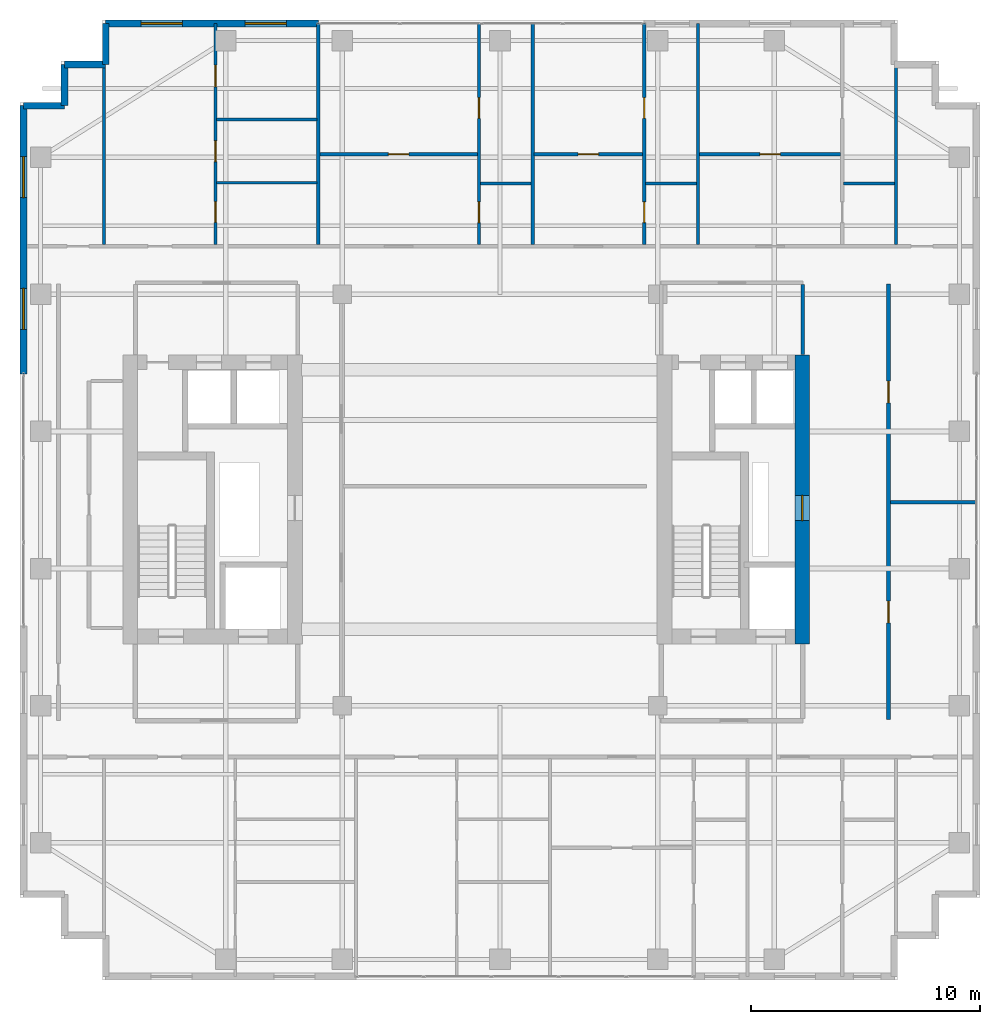
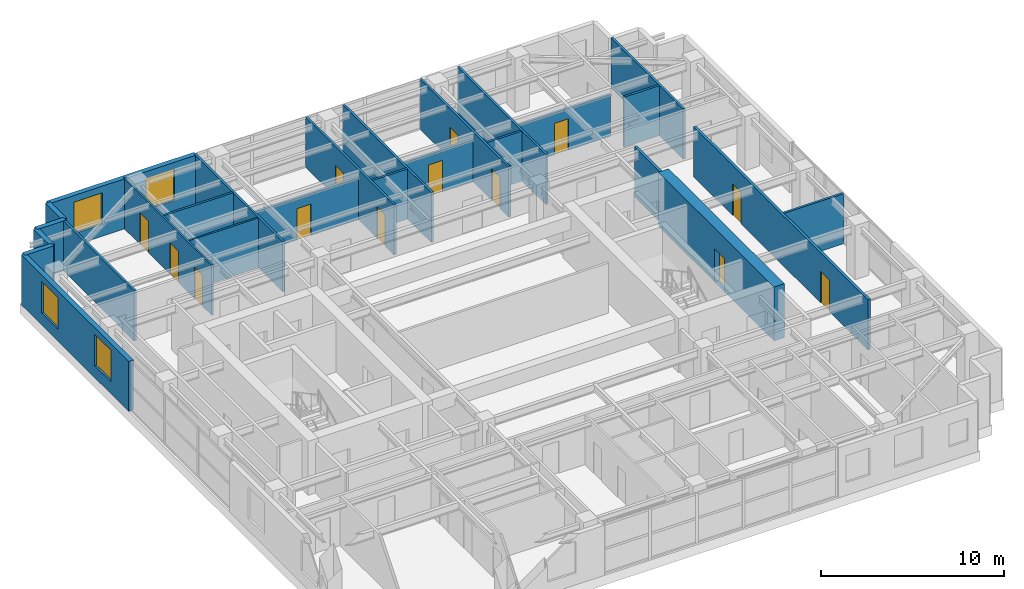
# One storey, part 22 of 24: 26 walls, 13 doors, 4 windows, 17 openings.
"""IFC4 building model written with IfcOpenShell, lengths in metres."""

from ifc_helpers import new_model, si_unit, direction, frame, frame_2d, origin, place, context, subcontext, project, spatial, rectangle, extrude, source, transform, mapped, material, layer, layer_set, type_object, element, fill, save


model = new_model("IFC4")

# Units and contexts
model_context = context("Model", 3, precision=1e-05, world=origin(), true_north=direction((0.0, 1.0)))
body_context = subcontext(model_context, "Body", "Model", "MODEL_VIEW")
ifc_project = project(units=[si_unit("LENGTHUNIT", "METRE"), si_unit("AREAUNIT", "SQUARE_METRE"), si_unit("VOLUMEUNIT", "CUBIC_METRE"), si_unit("PLANEANGLEUNIT", "RADIAN"), si_unit("MASSUNIT", "GRAM", prefix="KILO")], contexts=[model_context])

# Site, building, storey
site_placement = place(None, origin())
site = spatial("IfcSite", under=ifc_project, at=site_placement, CompositionType="ELEMENT")
building_placement = place(site_placement, origin())
building = spatial("IfcBuilding", under=site, at=building_placement, Name="Khoralis Quay Care Tower", CompositionType="ELEMENT")
storey_placement = place(building_placement, frame((0.0, 0.0, 155.699951171875)))
storey = spatial("IfcBuildingStorey", under=building, at=storey_placement, Name="L40", CompositionType="ELEMENT", Elevation=155.699951171875)

# Wall, opening, door
ifc_material_1 = material(Name="Concrete C65/80", Category="concrete")
ifc_layer_1 = layer(ifc_material_1, 0.64990234375)
ifc_layer_set_1 = layer_set([ifc_layer_1], Name="Concrete C65/80")
wall_type_1 = type_object("IfcWallType", Name="WL-CORE-650", PredefinedType="SHEAR", material=ifc_layer_set_1)
wall_1_placement = place(storey_placement, frame((37.22509765625, 14.699951171875, 0.0), z_axis=(0.0, 0.0, 1.0), x_axis=(0.0, 1.0, 0.0)))
wall_1 = element("IfcWall", 1, at=wall_1_placement, inside=storey, type_object=wall_type_1, Name="L40 ECORE East Shear Wall", PredefinedType="SHEAR", context=body_context, shape_type="SweptSolid", body=[
    extrude(rectangle(XDim=12.650146484375, YDim=0.64990234375, at=frame_2d((6.3251953125, 0.0))), origin(), (0.0, 0.0, 1.0), 3.60009765625),
])
opening_1_placement = place(wall_1_placement, frame((5.39990234375, 0.0, 0.0)))
opening_1 = element("IfcOpeningElement", 2, at=opening_1_placement, cuts=wall_1, Name="Opening SD1", PredefinedType="OPENING", context=body_context, shape_type="SweptSolid", body=[
    extrude(rectangle(XDim=1.10009765625, YDim=2.199951171875, at=frame_2d((0.550048828125, 1.10009765625))), frame((0.0, 0.3349609375, 0.0), z_axis=(0.0, -1.0, 0.0), x_axis=(1.0, 0.0, 0.0)), (0.0, 0.0, 1.0), 0.669921875),
])
ifc_material_2 = material(Name="Fire-rated painted steel", Category="steel")
door_type_1 = type_object("IfcDoorType", Name="DR-STAIR-1100X2200", OperationType="NOTDEFINED", PredefinedType="DOOR", material=ifc_material_2)
shared_shape_1 = source(origin(), body_context, "Body", "SweptSolid", [
    extrude(rectangle(XDim=1.10009765625, YDim=2.199951171875, at=frame_2d((0.550048828125, 1.10009765625))), frame((0.0, 0.02490234375, 0.0), z_axis=(0.0, -1.0, 0.0), x_axis=(1.0, 0.0, 0.0)), (0.0, 0.0, 1.0), 0.050048828125),
])
door_1_placement = place(opening_1_placement, frame((1.10009765625, 0.0, 0.0), z_axis=(0.0, 0.0, 1.0), x_axis=(-1.0, 0.0, 0.0)))
door_1 = element("IfcDoor", 3, at=door_1_placement, inside=storey, type_object=door_type_1, Name="L40 East MEP Riser Door", OperationType="SINGLE_SWING_LEFT", OverallHeight=2.199951171875, OverallWidth=1.10009765625, PredefinedType="DOOR", context=body_context, shape_type="MappedRepresentation", body=[
    mapped(shared_shape_1, transform((0.0, 0.0, 0.0), scale=1.0)),
])
fill(opening_1, door_1)

# Wall
ifc_material_3 = material(Name="Gypsum plasterboard on acoustic metal stud")
ifc_layer_2 = layer(ifc_material_3, 0.1650390625)
ifc_layer_set_2 = layer_set([ifc_layer_2], Name="Gypsum plasterboard on acoustic metal stud")
wall_type_2 = type_object("IfcWallType", Name="WL-CORR-165", PredefinedType="PARTITIONING", material=ifc_layer_set_2)
wall_2_placement = place(storey_placement, frame((37.25, 27.3701171875, 0.0), z_axis=(0.0, 0.0, 1.0), x_axis=(0.0, 1.0, 0.0)))
element("IfcWall", 4, at=wall_2_placement, inside=storey, type_object=wall_type_2, Name="L40 East Lift Lobby East Wall", PredefinedType="PARTITIONING", context=body_context, shape_type="SweptSolid", body=[
    extrude(rectangle(XDim=3.052490234375, YDim=0.1650390625, at=frame_2d((1.5263671875, 0.0))), origin(), (0.0, 0.0, 1.0), 3.340087890625),
])

# Wall, openings, doors
wall_3_placement = place(storey_placement, frame((41.0, 11.39990234375, 0.0), z_axis=(0.0, 0.0, 1.0), x_axis=(0.0, 1.0, 0.0)))
wall_3 = element("IfcWall", 5, at=wall_3_placement, inside=storey, type_object=wall_type_2, Name="L40 East Gallery Wall", PredefinedType="PARTITIONING", context=body_context, shape_type="SweptSolid", body=[
    extrude(rectangle(XDim=19.050048828125, YDim=0.1650390625, at=frame_2d((9.52490234375, 0.0))), origin(), (0.0, 0.0, 1.0), 3.340087890625),
])
opening_2_placement = place(wall_3_placement, frame((4.22509765625, 0.0, 0.0)))
opening_2 = element("IfcOpeningElement", 6, at=opening_2_placement, cuts=wall_3, Name="Opening ID1", PredefinedType="OPENING", context=body_context, shape_type="SweptSolid", body=[
    extrude(rectangle(XDim=0.949951171875, YDim=2.10009765625, at=frame_2d((0.47509765625, 1.050048828125))), frame((0.0, 0.092529296875, 0.0), z_axis=(0.0, -1.0, 0.0), x_axis=(1.0, 0.0, 0.0)), (0.0, 0.0, 1.0), 0.18505859375),
])
opening_3_placement = place(wall_3_placement, frame((13.85009765625, 0.0, 0.0)))
opening_3 = element("IfcOpeningElement", 7, at=opening_3_placement, cuts=wall_3, Name="Opening ID1", PredefinedType="OPENING", context=body_context, shape_type="SweptSolid", body=[
    extrude(rectangle(XDim=0.949951171875, YDim=2.10009765625, at=frame_2d((0.47509765625, 1.050048828125))), frame((0.0, 0.092529296875, 0.0), z_axis=(0.0, -1.0, 0.0), x_axis=(1.0, 0.0, 0.0)), (0.0, 0.0, 1.0), 0.18505859375),
])
ifc_material_4 = material(Name="Acoustic hardwood timber", Category="wood")
door_type_2 = type_object("IfcDoorType", Name="DR-ROOM-950X2100", OperationType="NOTDEFINED", PredefinedType="DOOR", material=ifc_material_4)
shared_shape_2 = source(origin(), body_context, "Body", "SweptSolid", [
    extrude(rectangle(XDim=0.949951171875, YDim=2.10009765625, at=frame_2d((0.47509765625, 1.050048828125))), frame((0.0, 0.02490234375, 0.0), z_axis=(0.0, -1.0, 0.0), x_axis=(1.0, 0.0, 0.0)), (0.0, 0.0, 1.0), 0.050048828125),
])
door_2_placement = place(opening_2_placement, origin())
door_2 = element("IfcDoor", 8, at=door_2_placement, inside=storey, type_object=door_type_2, Name="L40 East Clinic Door", OperationType="SINGLE_SWING_LEFT", OverallHeight=2.10009765625, OverallWidth=0.949951171875, PredefinedType="DOOR", context=body_context, shape_type="MappedRepresentation", body=[
    mapped(shared_shape_2, transform((0.0, 0.0, 0.0), scale=1.0)),
])
fill(opening_2, door_2)
door_3_placement = place(opening_3_placement, origin())
door_3 = element("IfcDoor", 9, at=door_3_placement, inside=storey, type_object=door_type_2, Name="L40 East Lounge Door", OperationType="SINGLE_SWING_RIGHT", OverallHeight=2.10009765625, OverallWidth=0.949951171875, PredefinedType="DOOR", context=body_context, shape_type="MappedRepresentation", body=[
    mapped(shared_shape_2, transform((0.0, 0.0, 0.0), scale=1.0)),
])
fill(opening_3, door_3)

# Wall, openings, windows
ifc_material_5 = material(Name="Precast concrete C45/55", Category="concrete")
ifc_layer_3 = layer(ifc_material_5, 0.300048828125)
ifc_layer_set_3 = layer_set([ifc_layer_3], Name="Precast concrete C45/55")
wall_type_3 = type_object("IfcWallType", Name="WL-EXT-REF-300", PredefinedType="SOLIDWALL", material=ifc_layer_set_3)
wall_4_placement = place(storey_placement, frame((16.050048828125, 41.85009765625, 0.0), z_axis=(0.0, 0.0, 1.0), x_axis=(-1.0, 0.0, 0.0)))
wall_4 = element("IfcWall", 10, at=wall_4_placement, inside=storey, type_object=wall_type_3, Name="L40 External Facade Wall WL-EXT-L40-P1-E10B", PredefinedType="SOLIDWALL", context=body_context, shape_type="SweptSolid", body=[
    extrude(rectangle(XDim=9.300048828125, YDim=0.300048828125, at=frame_2d((4.64990234375, 0.0))), origin(), (0.0, 0.0, 1.0), 3.340087890625),
])
opening_4_placement = place(wall_4_placement, frame((1.39892578125, 0.0, 0.800048828125)))
opening_4 = element("IfcOpeningElement", 11, at=opening_4_placement, cuts=wall_4, Name="Opening W2", PredefinedType="OPENING", context=body_context, shape_type="SweptSolid", body=[
    extrude(rectangle(XDim=1.800048828125, YDim=2.10009765625, at=frame_2d((0.89990234375, 1.050048828125))), frame((0.0, 0.16015625, 0.0), z_axis=(0.0, -1.0, 0.0), x_axis=(1.0, 0.0, 0.0)), (0.0, 0.0, 1.0), 0.320068359375),
])
opening_5_placement = place(wall_4_placement, frame((5.948974609375, 0.0, 0.800048828125)))
opening_5 = element("IfcOpeningElement", 12, at=opening_5_placement, cuts=wall_4, Name="Opening W2", PredefinedType="OPENING", context=body_context, shape_type="SweptSolid", body=[
    extrude(rectangle(XDim=1.800048828125, YDim=2.10009765625, at=frame_2d((0.89990234375, 1.050048828125))), frame((0.0, 0.16015625, 0.0), z_axis=(0.0, -1.0, 0.0), x_axis=(1.0, 0.0, 0.0)), (0.0, 0.0, 1.0), 0.320068359375),
])
ifc_material_6 = material(Name="Low-E solar-control double glazing", Category="glass")
window_type = type_object("IfcWindowType", Name="WN-POD-1800X2100", PartitioningType="SINGLE_PANEL", PredefinedType="WINDOW", material=ifc_material_6)
shared_shape_3 = source(origin(), body_context, "Body", "SweptSolid", [
    extrude(rectangle(XDim=1.800048828125, YDim=2.10009765625, at=frame_2d((0.89990234375, 1.050048828125))), frame((0.0, 0.030029296875, 0.0), z_axis=(0.0, -1.0, 0.0), x_axis=(1.0, 0.0, 0.0)), (0.0, 0.0, 1.0), 0.06005859375),
])
window_1_placement = place(opening_4_placement, origin())
window_1 = element("IfcWindow", 13, at=window_1_placement, inside=storey, type_object=window_type, Name="WN-L40-P1-E10B Facade Window 01", OverallHeight=2.10009765625, OverallWidth=1.800048828125, PartitioningType="SINGLE_PANEL", PredefinedType="WINDOW", context=body_context, shape_type="MappedRepresentation", body=[
    mapped(shared_shape_3, transform((0.0, 0.0, 0.0), scale=1.0)),
])
fill(opening_4, window_1)
window_2_placement = place(opening_5_placement, origin())
window_2 = element("IfcWindow", 14, at=window_2_placement, inside=storey, type_object=window_type, Name="WN-L40-P1-E10B Facade Window 02", OverallHeight=2.10009765625, OverallWidth=1.800048828125, PartitioningType="SINGLE_PANEL", PredefinedType="WINDOW", context=body_context, shape_type="MappedRepresentation", body=[
    mapped(shared_shape_3, transform((0.0, 0.0, 0.0), scale=1.0)),
])
fill(opening_5, window_2)

# Walls
for number, where, z_axis, x_axis, name in (
    (15, (6.75, 41.85009765625, 0.0), (0.0, 0.0, 1.0), (0.0, -1.0, 0.0), "L40 External Facade Wall WL-EXT-L40-P1-C11"),
    (16, (6.75, 40.050048828125, 0.0), (0.0, 0.0, 1.0), (-1.0, 0.0, 0.0), "L40 External Facade Wall WL-EXT-L40-P1-C12"),
    (17, (4.949951171875, 40.050048828125, 0.0), (0.0, 0.0, 1.0), (0.0, -1.0, 0.0), "L40 External Facade Wall WL-EXT-L40-P1-C13"),
    (18, (4.949951171875, 38.25, 0.0), (0.0, 0.0, 1.0), (-1.0, 0.0, 0.0), "L40 External Facade Wall WL-EXT-L40-P1-C14"),
):
    element("IfcWall", number, at=place(storey_placement, frame(where, z_axis=z_axis, x_axis=x_axis)), inside=storey, type_object=wall_type_3, Name=name, PredefinedType="SOLIDWALL", context=body_context, shape_type="SweptSolid", body=[
        extrude(rectangle(XDim=1.800048828125, YDim=0.300048828125, at=frame_2d((0.89990234375, 0.0))), origin(), (0.0, 0.0, 1.0), 3.340087890625),
    ])

# Wall, openings, windows
wall_5_placement = place(storey_placement, frame((3.14990234375, 38.25, 0.0), z_axis=(0.0, 0.0, 1.0), x_axis=(0.0, -1.0, 0.0)))
wall_5 = element("IfcWall", 19, at=wall_5_placement, inside=storey, type_object=wall_type_3, Name="L40 External Facade Wall WL-EXT-L40-P1-E15A", PredefinedType="SOLIDWALL", context=body_context, shape_type="SweptSolid", body=[
    extrude(rectangle(XDim=11.72998046875, YDim=0.300048828125, at=frame_2d((5.864990234375, 0.0))), origin(), (0.0, 0.0, 1.0), 3.340087890625),
])
opening_6_placement = place(wall_5_placement, frame((2.22509765625, 0.0, 0.800048828125)))
opening_6 = element("IfcOpeningElement", 20, at=opening_6_placement, cuts=wall_5, Name="Opening W2", PredefinedType="OPENING", context=body_context, shape_type="SweptSolid", body=[
    extrude(rectangle(XDim=1.800048828125, YDim=2.10009765625, at=frame_2d((0.89990234375, 1.050048828125))), frame((0.0, 0.16015625, 0.0), z_axis=(0.0, -1.0, 0.0), x_axis=(1.0, 0.0, 0.0)), (0.0, 0.0, 1.0), 0.320068359375),
])
opening_7_placement = place(wall_5_placement, frame((7.989990234375, 0.0, 0.800048828125)))
opening_7 = element("IfcOpeningElement", 21, at=opening_7_placement, cuts=wall_5, Name="Opening W2", PredefinedType="OPENING", context=body_context, shape_type="SweptSolid", body=[
    extrude(rectangle(XDim=1.800048828125, YDim=2.10009765625, at=frame_2d((0.89990234375, 1.050048828125))), frame((0.0, 0.16015625, 0.0), z_axis=(0.0, -1.0, 0.0), x_axis=(1.0, 0.0, 0.0)), (0.0, 0.0, 1.0), 0.320068359375),
])
window_3_placement = place(opening_6_placement, origin())
window_3 = element("IfcWindow", 22, at=window_3_placement, inside=storey, type_object=window_type, Name="WN-L40-P1-E15A Facade Window 01", OverallHeight=2.10009765625, OverallWidth=1.800048828125, PartitioningType="SINGLE_PANEL", PredefinedType="WINDOW", context=body_context, shape_type="MappedRepresentation", body=[
    mapped(shared_shape_3, transform((0.0, 0.0, 0.0), scale=1.0)),
])
fill(opening_6, window_3)
window_4_placement = place(opening_7_placement, origin())
window_4 = element("IfcWindow", 23, at=window_4_placement, inside=storey, type_object=window_type, Name="WN-L40-P1-E15A Facade Window 02", OverallHeight=2.10009765625, OverallWidth=1.800048828125, PartitioningType="SINGLE_PANEL", PredefinedType="WINDOW", context=body_context, shape_type="MappedRepresentation", body=[
    mapped(shared_shape_3, transform((0.0, 0.0, 0.0), scale=1.0)),
])
fill(opening_7, window_4)

# Wall, openings, doors
ifc_layer_4 = layer(ifc_material_3, 0.114990234375)
ifc_layer_set_4 = layer_set([ifc_layer_4], Name="Gypsum plasterboard on acoustic metal stud")
wall_type_4 = type_object("IfcWallType", Name="WL-PART-115", PredefinedType="PARTITIONING", material=ifc_layer_set_4)
wall_6_placement = place(storey_placement, frame((11.552001953125, 32.177490234375, 0.0), z_axis=(0.0, 0.0, 1.0), x_axis=(0.0, 1.0, 0.0)))
wall_6 = element("IfcWall", 24, at=wall_6_placement, inside=storey, type_object=wall_type_4, Name="L40 Unit 0 Internal Wall", PredefinedType="PARTITIONING", context=body_context, shape_type="SweptSolid", body=[
    extrude(rectangle(XDim=9.677490234375, YDim=0.114990234375, at=frame_2d((4.8388671875, 0.0))), origin(), (0.0, 0.0, 1.0), 3.340087890625),
])
opening_8_placement = place(wall_6_placement, frame((6.89453125, 0.0, 0.0)))
opening_8 = element("IfcOpeningElement", 25, at=opening_8_placement, cuts=wall_6, Name="Opening ID1", PredefinedType="OPENING", context=body_context, shape_type="SweptSolid", body=[
    extrude(rectangle(XDim=0.949951171875, YDim=2.10009765625, at=frame_2d((0.47509765625, 1.050048828125))), frame((0.0, 0.0673828125, 0.0), z_axis=(0.0, -1.0, 0.0), x_axis=(1.0, 0.0, 0.0)), (0.0, 0.0, 1.0), 0.135009765625),
])
opening_9_placement = place(wall_6_placement, frame((3.630615234375, 0.0, 0.0)))
opening_9 = element("IfcOpeningElement", 26, at=opening_9_placement, cuts=wall_6, Name="Opening WD1", PredefinedType="OPENING", context=body_context, shape_type="SweptSolid", body=[
    extrude(rectangle(XDim=0.89990234375, YDim=2.10009765625, at=frame_2d((0.449951171875, 1.050048828125))), frame((0.0, 0.0673828125, 0.0), z_axis=(0.0, -1.0, 0.0), x_axis=(1.0, 0.0, 0.0)), (0.0, 0.0, 1.0), 0.135009765625),
])
opening_10_placement = place(wall_6_placement, frame((0.973388671875, 0.0, 0.0)))
opening_10 = element("IfcOpeningElement", 27, at=opening_10_placement, cuts=wall_6, Name="Opening WD1", PredefinedType="OPENING", context=body_context, shape_type="SweptSolid", body=[
    extrude(rectangle(XDim=0.89990234375, YDim=2.10009765625, at=frame_2d((0.449951171875, 1.050048828125))), frame((0.0, 0.0673828125, 0.0), z_axis=(0.0, -1.0, 0.0), x_axis=(1.0, 0.0, 0.0)), (0.0, 0.0, 1.0), 0.135009765625),
])
door_type_3 = type_object("IfcDoorType", Name="DR-BATH-900X2100", OperationType="NOTDEFINED", PredefinedType="DOOR", material=ifc_material_4)
shared_shape_4 = source(origin(), body_context, "Body", "SweptSolid", [
    extrude(rectangle(XDim=0.89990234375, YDim=2.10009765625, at=frame_2d((0.449951171875, 1.050048828125))), frame((0.0, 0.02490234375, 0.0), z_axis=(0.0, -1.0, 0.0), x_axis=(1.0, 0.0, 0.0)), (0.0, 0.0, 1.0), 0.050048828125),
])
door_4_placement = place(opening_9_placement, frame((0.89990234375, 0.0, 0.0), z_axis=(0.0, 0.0, 1.0), x_axis=(-1.0, 0.0, 0.0)))
door_4 = element("IfcDoor", 28, at=door_4_placement, inside=storey, type_object=door_type_3, Name="L40 Apartment NB0 KIT Door", OperationType="SINGLE_SWING_RIGHT", OverallHeight=2.10009765625, OverallWidth=0.89990234375, PredefinedType="DOOR", context=body_context, shape_type="MappedRepresentation", body=[
    mapped(shared_shape_4, transform((0.0, 0.0, 0.0), scale=1.0)),
])
fill(opening_9, door_4)
door_5_placement = place(opening_10_placement, frame((0.89990234375, 0.0, 0.0), z_axis=(0.0, 0.0, 1.0), x_axis=(-1.0, 0.0, 0.0)))
door_5 = element("IfcDoor", 29, at=door_5_placement, inside=storey, type_object=door_type_3, Name="L40 Apartment NB0 BTH Door", OperationType="SINGLE_SWING_LEFT", OverallHeight=2.10009765625, OverallWidth=0.89990234375, PredefinedType="DOOR", context=body_context, shape_type="MappedRepresentation", body=[
    mapped(shared_shape_4, transform((0.0, 0.0, 0.0), scale=1.0)),
])
fill(opening_10, door_5)
door_6_placement = place(opening_8_placement, frame((0.949951171875, 0.0, 0.0), z_axis=(0.0, 0.0, 1.0), x_axis=(-1.0, 0.0, 0.0)))
door_6 = element("IfcDoor", 30, at=door_6_placement, inside=storey, type_object=door_type_2, Name="L40 Apartment NB0 BED Door", OperationType="SINGLE_SWING_LEFT", OverallHeight=2.10009765625, OverallWidth=0.949951171875, PredefinedType="DOOR", context=body_context, shape_type="MappedRepresentation", body=[
    mapped(shared_shape_2, transform((0.0, 0.0, 0.0), scale=1.0)),
])
fill(opening_8, door_6)

# Walls
wall_7_placement = place(storey_placement, frame((11.6044921875, 34.8720703125, 0.0), z_axis=(0.0, 0.0, 1.0), x_axis=(1.0, 0.0, 0.0)))
element("IfcWall", 31, at=wall_7_placement, inside=storey, type_object=wall_type_4, Name="L40 Unit 0 Kitchen Wall", PredefinedType="PARTITIONING", context=body_context, shape_type="SweptSolid", body=[
    extrude(rectangle(XDim=4.380615234375, YDim=0.114990234375, at=frame_2d((2.1904296875, 0.0))), origin(), (0.0, 0.0, 1.0), 3.340087890625),
])
ifc_material_7 = material(Name="Moisture-resistant gypsum and ceramic tile")
ifc_layer_5 = layer(ifc_material_7, 0.280029296875)
ifc_layer_set_5 = layer_set([ifc_layer_5], Name="Moisture-resistant gypsum and ceramic tile")
wall_type_5 = type_object("IfcWallType", Name="WL-PLUMB-280", PredefinedType="PLUMBINGWALL", material=ifc_layer_set_5)
wall_8_placement = place(storey_placement, frame((11.6044921875, 37.64404296875, 0.0), z_axis=(0.0, 0.0, 1.0), x_axis=(1.0, 0.0, 0.0)))
element("IfcWall", 32, at=wall_8_placement, inside=storey, type_object=wall_type_5, Name="L40 Unit 0 Wet Wall", PredefinedType="PLUMBINGWALL", context=body_context, shape_type="SweptSolid", body=[
    extrude(rectangle(XDim=4.380615234375, YDim=0.139892578125, at=frame_2d((2.1904296875, 0.0))), origin(), (0.0, 0.0, 1.0), 3.340087890625),
])

# Wall, openings, doors
wall_9_placement = place(storey_placement, frame((23.080078125, 32.177490234375, 0.0), z_axis=(0.0, 0.0, 1.0), x_axis=(0.0, 1.0, 0.0)))
wall_9 = element("IfcWall", 33, at=wall_9_placement, inside=storey, type_object=wall_type_5, Name="L40 Care Suite 1 En-Suite Wall V", PredefinedType="PLUMBINGWALL", context=body_context, shape_type="SweptSolid", body=[
    extrude(rectangle(XDim=9.677490234375, YDim=0.139892578125, at=frame_2d((4.8388671875, 0.0))), origin(), (0.0, 0.0, 1.0), 3.340087890625),
])
opening_11_placement = place(wall_9_placement, frame((0.96240234375, 0.0, 0.0)))
opening_11 = element("IfcOpeningElement", 34, at=opening_11_placement, cuts=wall_9, Name="Opening WD1", PredefinedType="OPENING", context=body_context, shape_type="SweptSolid", body=[
    extrude(rectangle(XDim=0.89990234375, YDim=2.10009765625, at=frame_2d((0.449951171875, 1.050048828125))), frame((0.0, 0.080078125, 0.0), z_axis=(0.0, -1.0, 0.0), x_axis=(1.0, 0.0, 0.0)), (0.0, 0.0, 1.0), 0.159912109375),
])
opening_12_placement = place(wall_9_placement, frame((5.5224609375, 0.0, 0.0)))
opening_12 = element("IfcOpeningElement", 35, at=opening_12_placement, cuts=wall_9, Name="Opening WD1", PredefinedType="OPENING", context=body_context, shape_type="SweptSolid", body=[
    extrude(rectangle(XDim=0.89990234375, YDim=2.10009765625, at=frame_2d((0.449951171875, 1.050048828125))), frame((0.0, 0.080078125, 0.0), z_axis=(0.0, -1.0, 0.0), x_axis=(1.0, 0.0, 0.0)), (0.0, 0.0, 1.0), 0.159912109375),
])
door_7_placement = place(opening_11_placement, frame((0.89990234375, 0.0, 0.0), z_axis=(0.0, 0.0, 1.0), x_axis=(-1.0, 0.0, 0.0)))
door_7 = element("IfcDoor", 36, at=door_7_placement, inside=storey, type_object=door_type_3, Name="L40 Care CENS Door", OperationType="SINGLE_SWING_RIGHT", OverallHeight=2.10009765625, OverallWidth=0.89990234375, PredefinedType="DOOR", context=body_context, shape_type="MappedRepresentation", body=[
    mapped(shared_shape_4, transform((0.0, 0.0, 0.0), scale=1.0)),
])
fill(opening_11, door_7)
door_8_placement = place(opening_12_placement, frame((0.89990234375, 0.0, 0.0), z_axis=(0.0, 0.0, 1.0), x_axis=(-1.0, 0.0, 0.0)))
door_8 = element("IfcDoor", 37, at=door_8_placement, inside=storey, type_object=door_type_3, Name="L40 Care CSIT Door", OperationType="SINGLE_SWING_LEFT", OverallHeight=2.10009765625, OverallWidth=0.89990234375, PredefinedType="DOOR", context=body_context, shape_type="MappedRepresentation", body=[
    mapped(shared_shape_4, transform((0.0, 0.0, 0.0), scale=1.0)),
])
fill(opening_12, door_8)

# Wall
wall_10_placement = place(storey_placement, frame((23.14501953125, 34.85009765625, 0.0), z_axis=(0.0, 0.0, 1.0), x_axis=(1.0, 0.0, 0.0)))
element("IfcWall", 38, at=wall_10_placement, inside=storey, type_object=wall_type_5, Name="L40 Care Suite 1 En-Suite Wall H", PredefinedType="PLUMBINGWALL", context=body_context, shape_type="SweptSolid", body=[
    extrude(rectangle(XDim=2.219970703125, YDim=0.139892578125, at=frame_2d((1.10986328125, 0.0))), origin(), (0.0, 0.0, 1.0), 3.340087890625),
])

# Wall, openings, doors
wall_11_placement = place(storey_placement, frame((30.31005859375, 32.177490234375, 0.0), z_axis=(0.0, 0.0, 1.0), x_axis=(0.0, 1.0, 0.0)))
wall_11 = element("IfcWall", 39, at=wall_11_placement, inside=storey, type_object=wall_type_5, Name="L40 Care Suite 2 En-Suite Wall V", PredefinedType="PLUMBINGWALL", context=body_context, shape_type="SweptSolid", body=[
    extrude(rectangle(XDim=9.677490234375, YDim=0.139892578125, at=frame_2d((4.8388671875, 0.0))), origin(), (0.0, 0.0, 1.0), 3.340087890625),
])
opening_13_placement = place(wall_11_placement, frame((0.96240234375, 0.0, 0.0)))
opening_13 = element("IfcOpeningElement", 40, at=opening_13_placement, cuts=wall_11, Name="Opening WD1", PredefinedType="OPENING", context=body_context, shape_type="SweptSolid", body=[
    extrude(rectangle(XDim=0.89990234375, YDim=2.10009765625, at=frame_2d((0.449951171875, 1.050048828125))), frame((0.0, 0.080078125, 0.0), z_axis=(0.0, -1.0, 0.0), x_axis=(1.0, 0.0, 0.0)), (0.0, 0.0, 1.0), 0.159912109375),
])
opening_14_placement = place(wall_11_placement, frame((5.5224609375, 0.0, 0.0)))
opening_14 = element("IfcOpeningElement", 41, at=opening_14_placement, cuts=wall_11, Name="Opening WD1", PredefinedType="OPENING", context=body_context, shape_type="SweptSolid", body=[
    extrude(rectangle(XDim=0.89990234375, YDim=2.10009765625, at=frame_2d((0.449951171875, 1.050048828125))), frame((0.0, 0.080078125, 0.0), z_axis=(0.0, -1.0, 0.0), x_axis=(1.0, 0.0, 0.0)), (0.0, 0.0, 1.0), 0.159912109375),
])
door_9_placement = place(opening_13_placement, frame((0.89990234375, 0.0, 0.0), z_axis=(0.0, 0.0, 1.0), x_axis=(-1.0, 0.0, 0.0)))
door_9 = element("IfcDoor", 42, at=door_9_placement, inside=storey, type_object=door_type_3, Name="L40 Care CENS Door", OperationType="SINGLE_SWING_LEFT", OverallHeight=2.10009765625, OverallWidth=0.89990234375, PredefinedType="DOOR", context=body_context, shape_type="MappedRepresentation", body=[
    mapped(shared_shape_4, transform((0.0, 0.0, 0.0), scale=1.0)),
])
fill(opening_13, door_9)
door_10_placement = place(opening_14_placement, frame((0.89990234375, 0.0, 0.0), z_axis=(0.0, 0.0, 1.0), x_axis=(-1.0, 0.0, 0.0)))
door_10 = element("IfcDoor", 43, at=door_10_placement, inside=storey, type_object=door_type_3, Name="L40 Care CSIT Door", OperationType="SINGLE_SWING_RIGHT", OverallHeight=2.10009765625, OverallWidth=0.89990234375, PredefinedType="DOOR", context=body_context, shape_type="MappedRepresentation", body=[
    mapped(shared_shape_4, transform((0.0, 0.0, 0.0), scale=1.0)),
])
fill(opening_14, door_10)

# Walls
for number, where, z_axis, x_axis, name in (
    (44, (30.375, 34.85009765625, 0.0), (0.0, 0.0, 1.0), (1.0, 0.0, 0.0), "L40 Care Suite 2 En-Suite Wall H"),
    (45, (39.034912109375, 34.85009765625, 0.0), (0.0, 0.0, 1.0), (1.0, 0.0, 0.0), "L40 Care Suite 3 En-Suite Wall H"),
):
    element("IfcWall", number, at=place(storey_placement, frame(where, z_axis=z_axis, x_axis=x_axis)), inside=storey, type_object=wall_type_5, Name=name, PredefinedType="PLUMBINGWALL", context=body_context, shape_type="SweptSolid", body=[
        extrude(rectangle(XDim=2.219970703125, YDim=0.139892578125, at=frame_2d((1.10986328125, 0.0))), origin(), (0.0, 0.0, 1.0), 3.340087890625),
    ])
ifc_layer_6 = layer(ifc_material_3, 0.139892578125)
ifc_layer_set_6 = layer_set([ifc_layer_6], Name="Gypsum plasterboard on acoustic metal stud")
wall_type_6 = type_object("IfcWallType", Name="WL-UNIT-140", PredefinedType="PARTITIONING", material=ifc_layer_set_6)
wall_12_placement = place(storey_placement, frame((41.077392578125, 20.89990234375, 0.0), z_axis=(0.0, 0.0, 1.0), x_axis=(1.0, 0.0, 0.0)))
element("IfcWall", 46, at=wall_12_placement, inside=storey, type_object=wall_type_6, Name="L40 East Mid Split", PredefinedType="PARTITIONING", context=body_context, shape_type="SweptSolid", body=[
    extrude(rectangle(XDim=3.777587890625, YDim=0.139892578125, at=frame_2d((1.888671875, 0.0))), origin(), (0.0, 0.0, 1.0), 3.340087890625),
])
wall_13_placement = place(storey_placement, frame((6.679931640625, 32.177490234375, 0.0), z_axis=(0.0, 0.0, 1.0), x_axis=(0.0, 1.0, 0.0)))
element("IfcWall", 47, at=wall_13_placement, inside=storey, type_object=wall_type_6, Name="L40 NB Demising Wall 0", PredefinedType="PARTITIONING", context=body_context, shape_type="SweptSolid", body=[
    extrude(rectangle(XDim=7.87744140625, YDim=0.139892578125, at=frame_2d((3.938720703125, 0.0))), origin(), (0.0, 0.0, 1.0), 3.340087890625),
])
for number, where, z_axis, x_axis, name in (
    (48, (16.050048828125, 32.177490234375, 0.0), (0.0, 0.0, 1.0), (0.0, 1.0, 0.0), "L40 NB Demising Wall 1"),
    (49, (25.429931640625, 32.177490234375, 0.0), (0.0, 0.0, 1.0), (0.0, 1.0, 0.0), "L40 NB Demising Wall 2"),
    (50, (32.659912109375, 32.177490234375, 0.0), (0.0, 0.0, 1.0), (0.0, 1.0, 0.0), "L40 NB Demising Wall 3"),
):
    element("IfcWall", number, at=place(storey_placement, frame(where, z_axis=z_axis, x_axis=x_axis)), inside=storey, type_object=wall_type_6, Name=name, PredefinedType="PARTITIONING", context=body_context, shape_type="SweptSolid", body=[
        extrude(rectangle(XDim=9.677490234375, YDim=0.139892578125, at=frame_2d((4.8388671875, 0.0))), origin(), (0.0, 0.0, 1.0), 3.340087890625),
    ])
wall_14_placement = place(storey_placement, frame((41.320068359375, 32.177490234375, 0.0), z_axis=(0.0, 0.0, 1.0), x_axis=(0.0, 1.0, 0.0)))
element("IfcWall", 51, at=wall_14_placement, inside=storey, type_object=wall_type_6, Name="L40 NB Demising Wall 4", PredefinedType="PARTITIONING", context=body_context, shape_type="SweptSolid", body=[
    extrude(rectangle(XDim=7.87744140625, YDim=0.139892578125, at=frame_2d((3.938720703125, 0.0))), origin(), (0.0, 0.0, 1.0), 3.340087890625),
])

# Wall, opening, door
wall_15_placement = place(storey_placement, frame((16.114990234375, 36.1298828125, 0.0), z_axis=(0.0, 0.0, 1.0), x_axis=(1.0, 0.0, 0.0)))
wall_15 = element("IfcWall", 52, at=wall_15_placement, inside=storey, type_object=wall_type_6, Name="Skilled Care Bedroom L40-NB1 Sub-Partition", PredefinedType="PARTITIONING", context=body_context, shape_type="SweptSolid", body=[
    extrude(rectangle(XDim=6.89990234375, YDim=0.139892578125, at=frame_2d((3.449951171875, 0.0))), origin(), (0.0, 0.0, 1.0), 2.80712890625),
])
opening_15_placement = place(wall_15_placement, frame((3.0, 0.0, 0.0)))
opening_15 = element("IfcOpeningElement", 53, at=opening_15_placement, cuts=wall_15, Name="Opening WD1", PredefinedType="OPENING", context=body_context, shape_type="SweptSolid", body=[
    extrude(rectangle(XDim=0.89990234375, YDim=2.10009765625, at=frame_2d((0.449951171875, 1.050048828125))), frame((0.0, 0.080078125, 0.0), z_axis=(0.0, -1.0, 0.0), x_axis=(1.0, 0.0, 0.0)), (0.0, 0.0, 1.0), 0.159912109375),
])
door_11_placement = place(opening_15_placement, frame((0.89990234375, 0.0, 0.0), z_axis=(0.0, 0.0, 1.0), x_axis=(-1.0, 0.0, 0.0)))
door_11 = element("IfcDoor", 54, at=door_11_placement, inside=storey, type_object=door_type_3, Name="Private Study & Reading Alcove ARE1 Door", OperationType="SINGLE_SWING_LEFT", OverallHeight=2.10009765625, OverallWidth=0.89990234375, PredefinedType="DOOR", context=body_context, shape_type="MappedRepresentation", body=[
    mapped(shared_shape_4, transform((0.0, 0.0, 0.0), scale=1.0)),
])
fill(opening_15, door_11)

wall_16_placement = place(storey_placement, frame((25.4951171875, 36.1298828125, 0.0), z_axis=(0.0, 0.0, 1.0), x_axis=(1.0, 0.0, 0.0)))
wall_16 = element("IfcWall", 55, at=wall_16_placement, inside=storey, type_object=wall_type_6, Name="Skilled Care Bedroom L40-NB2 Sub-Partition", PredefinedType="PARTITIONING", context=body_context, shape_type="SweptSolid", body=[
    extrude(rectangle(XDim=4.75, YDim=0.139892578125, at=frame_2d((2.375, 0.0))), origin(), (0.0, 0.0, 1.0), 2.80712890625),
])
opening_16_placement = place(wall_16_placement, frame((1.925048828125, 0.0, 0.0)))
opening_16 = element("IfcOpeningElement", 56, at=opening_16_placement, cuts=wall_16, Name="Opening WD1", PredefinedType="OPENING", context=body_context, shape_type="SweptSolid", body=[
    extrude(rectangle(XDim=0.89990234375, YDim=2.10009765625, at=frame_2d((0.449951171875, 1.050048828125))), frame((0.0, 0.080078125, 0.0), z_axis=(0.0, -1.0, 0.0), x_axis=(1.0, 0.0, 0.0)), (0.0, 0.0, 1.0), 0.159912109375),
])
door_12_placement = place(opening_16_placement, frame((0.89990234375, 0.0, 0.0), z_axis=(0.0, 0.0, 1.0), x_axis=(-1.0, 0.0, 0.0)))
door_12 = element("IfcDoor", 57, at=door_12_placement, inside=storey, type_object=door_type_3, Name="Private Study & Reading Alcove ARE2 Door", OperationType="SINGLE_SWING_LEFT", OverallHeight=2.10009765625, OverallWidth=0.89990234375, PredefinedType="DOOR", context=body_context, shape_type="MappedRepresentation", body=[
    mapped(shared_shape_4, transform((0.0, 0.0, 0.0), scale=1.0)),
])
fill(opening_16, door_12)

wall_17_placement = place(storey_placement, frame((32.72509765625, 36.1298828125, 0.0), z_axis=(0.0, 0.0, 1.0), x_axis=(1.0, 0.0, 0.0)))
wall_17 = element("IfcWall", 58, at=wall_17_placement, inside=storey, type_object=wall_type_6, Name="Skilled Care Bedroom L40-NB3 Sub-Partition", PredefinedType="PARTITIONING", context=body_context, shape_type="SweptSolid", body=[
    extrude(rectangle(XDim=6.179931640625, YDim=0.139892578125, at=frame_2d((3.08984375, 0.0))), origin(), (0.0, 0.0, 1.0), 2.80712890625),
])
opening_17_placement = place(wall_17_placement, frame((2.639892578125, 0.0, 0.0)))
opening_17 = element("IfcOpeningElement", 59, at=opening_17_placement, cuts=wall_17, Name="Opening WD1", PredefinedType="OPENING", context=body_context, shape_type="SweptSolid", body=[
    extrude(rectangle(XDim=0.89990234375, YDim=2.10009765625, at=frame_2d((0.449951171875, 1.050048828125))), frame((0.0, 0.080078125, 0.0), z_axis=(0.0, -1.0, 0.0), x_axis=(1.0, 0.0, 0.0)), (0.0, 0.0, 1.0), 0.159912109375),
])
door_13_placement = place(opening_17_placement, frame((0.89990234375, 0.0, 0.0), z_axis=(0.0, 0.0, 1.0), x_axis=(-1.0, 0.0, 0.0)))
door_13 = element("IfcDoor", 60, at=door_13_placement, inside=storey, type_object=door_type_3, Name="Private Study & Reading Alcove ARE3 Door", OperationType="SINGLE_SWING_LEFT", OverallHeight=2.10009765625, OverallWidth=0.89990234375, PredefinedType="DOOR", context=body_context, shape_type="MappedRepresentation", body=[
    mapped(shared_shape_4, transform((0.0, 0.0, 0.0), scale=1.0)),
])
fill(opening_17, door_13)

save(model, "model.ifc")
